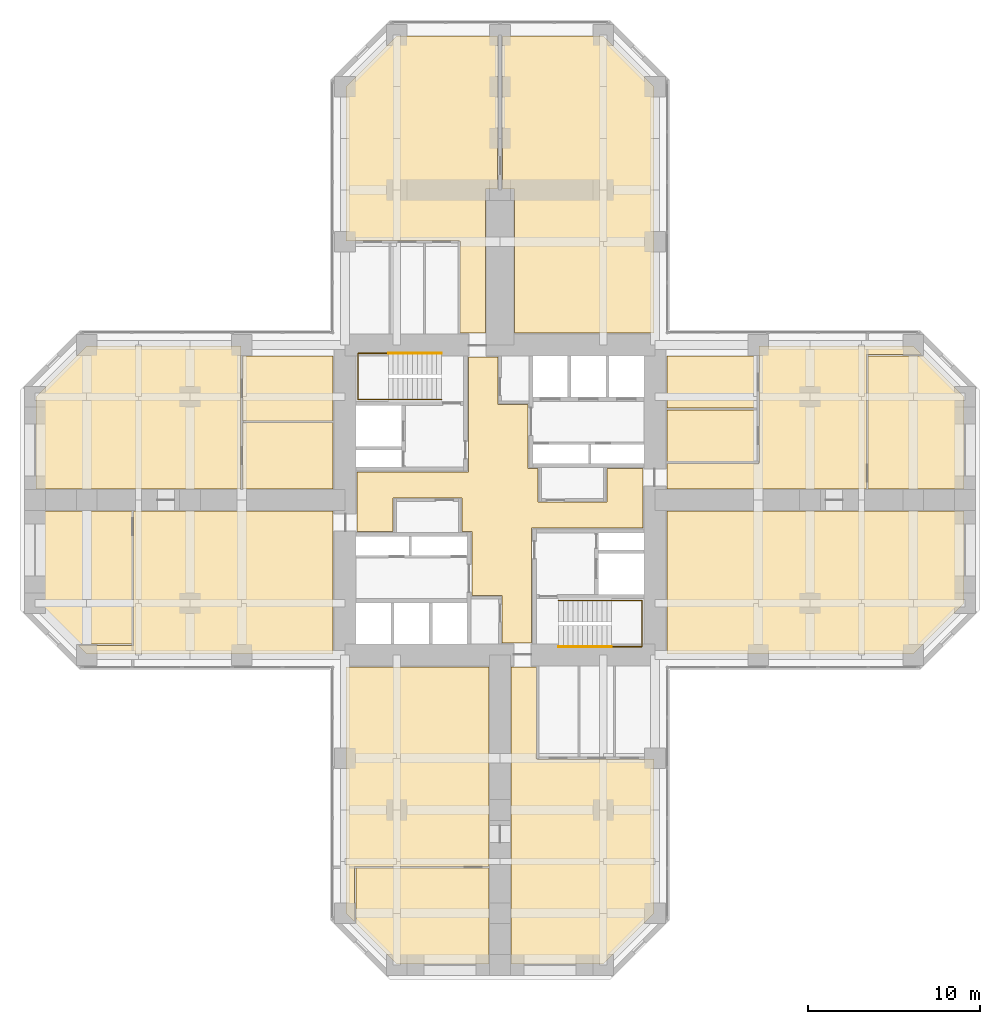
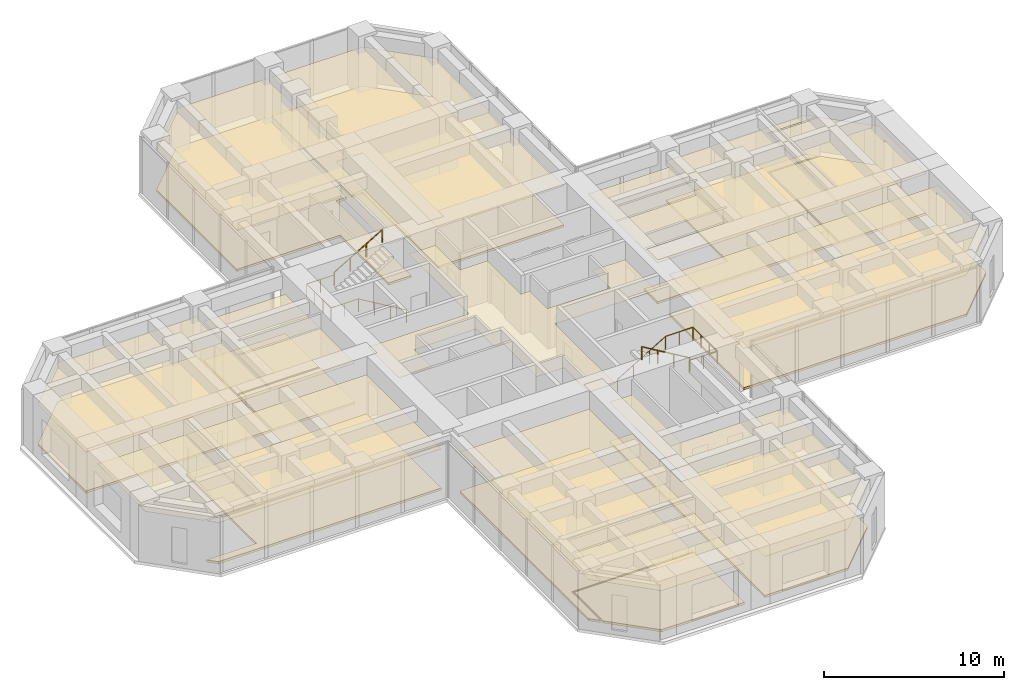
# One storey, part 12 of 12: 28 coverings, 4 railings.
"""IFC4 building model written with IfcOpenShell, lengths in metres."""

from ifc_helpers import new_model, si_unit, direction, frame, origin, origin_2d, place, context, subcontext, project, spatial, polyline, circle, outline, extrude, material, layer, layer_set, constituent, constituent_set, type_object, element, save


model = new_model("IFC4")

# Units and contexts
model_context = context("Model", 3, precision=1e-05, world=origin(), true_north=direction((0.0, 1.0)))
body_context = subcontext(model_context, "Body", "Model", "MODEL_VIEW")
ifc_project = project(units=[si_unit("LENGTHUNIT", "METRE"), si_unit("AREAUNIT", "SQUARE_METRE"), si_unit("VOLUMEUNIT", "CUBIC_METRE"), si_unit("PLANEANGLEUNIT", "RADIAN"), si_unit("MASSUNIT", "GRAM", prefix="KILO")], contexts=[model_context])

# Site, building, storey
site_placement = place(None, origin())
site = spatial("IfcSite", under=ifc_project, at=site_placement, CompositionType="ELEMENT")
building_placement = place(site_placement, origin())
building = spatial("IfcBuilding", under=site, at=building_placement, Name="Torre Cruceta", CompositionType="ELEMENT")
storey_placement = place(building_placement, frame((0.0, 0.0, 67.5)))
storey = spatial("IfcBuildingStorey", under=building, at=storey_placement, Name="L16", CompositionType="ELEMENT", Elevation=67.5)

# Railings
ifc_material_1 = material(Name="Stainless steel 1.4401", Category="steel")
railing_type = type_object("IfcRailingType", Name="HANDRAIL 900", PredefinedType="HANDRAIL", material=ifc_material_1)
railing_1_placement = place(storey_placement, frame((-3.39990234375, 5.8349609375, 0.166748046875)))
element("IfcRailing", 1, at=railing_1_placement, inside=storey, type_object=railing_type, Name="Handrail HR1 ST1 L16", PredefinedType="HANDRAIL", context=body_context, shape_type="SweptSolid", body=[
    extrude(circle(Radius=0.02392578125, at=origin_2d()), frame((0.0, 0.0, 0.8759765625), z_axis=(-0.859308565015, 0.0, 0.511457515432), x_axis=(0.0, -1.0, 0.0)), (0.0, 0.0, 1.0), 3.58447265625),
    extrude(circle(Radius=0.02392578125, at=origin_2d()), frame((-3.080078125, 0.0, 2.708984375), z_axis=(-1.0, 0.0, 0.0), x_axis=(0.0, -1.0, 0.0)), (0.0, 0.0, 1.0), 1.760009765625),
    extrude(circle(Radius=0.02392578125, at=origin_2d()), frame((-4.840087890625, 0.0, 2.708984375), z_axis=(0.0, 1.0, 0.0), x_axis=(-1.0, 0.0, 0.0)), (0.0, 0.0, 1.0), 2.679931640625),
    extrude(circle(Radius=0.02392578125, at=origin_2d()), frame((-4.840087890625, 2.679931640625, 2.708984375), z_axis=(1.0, 0.0, 0.0), x_axis=(0.0, 1.0, 0.0)), (0.0, 0.0, 1.0), 1.760009765625),
    extrude(circle(Radius=0.02099609375, at=origin_2d()), origin(), (0.0, 0.0, 1.0), 0.851806640625),
    extrude(circle(Radius=0.02099609375, at=origin_2d()), frame((-1.026611328125, 0.0, 0.611083984375)), (0.0, 0.0, 1.0), 0.851806640625),
    extrude(circle(Radius=0.02099609375, at=origin_2d()), frame((-2.053466796875, 0.0, 1.22216796875)), (0.0, 0.0, 1.0), 0.851806640625),
    extrude(circle(Radius=0.02099609375, at=origin_2d()), frame((-3.080078125, 0.0, 1.833251953125)), (0.0, 0.0, 1.0), 0.851806640625),
    extrude(circle(Radius=0.02099609375, at=origin_2d()), frame((-3.9599609375, 0.0, 1.833251953125)), (0.0, 0.0, 1.0), 0.851806640625),
    extrude(circle(Radius=0.02099609375, at=origin_2d()), frame((-4.840087890625, 0.0, 1.833251953125)), (0.0, 0.0, 1.0), 0.851806640625),
    extrude(circle(Radius=0.02099609375, at=origin_2d()), frame((-4.840087890625, 0.893310546875, 1.833251953125)), (0.0, 0.0, 1.0), 0.851806640625),
    extrude(circle(Radius=0.02099609375, at=origin_2d()), frame((-4.840087890625, 1.78662109375, 1.833251953125)), (0.0, 0.0, 1.0), 0.851806640625),
    extrude(circle(Radius=0.02099609375, at=origin_2d()), frame((-4.840087890625, 2.679931640625, 1.833251953125)), (0.0, 0.0, 1.0), 0.851806640625),
    extrude(circle(Radius=0.02099609375, at=origin_2d()), frame((-3.9599609375, 2.679931640625, 1.833251953125)), (0.0, 0.0, 1.0), 0.851806640625),
    extrude(circle(Radius=0.02099609375, at=origin_2d()), frame((-3.080078125, 2.679931640625, 1.833251953125)), (0.0, 0.0, 1.0), 0.851806640625),
])
railing_2_placement = place(storey_placement, frame((-6.47998046875, 8.514892578125, 2.166748046875)))
element("IfcRailing", 2, at=railing_2_placement, inside=storey, type_object=railing_type, Name="Handrail HR1 ST1 L16", PredefinedType="HANDRAIL", context=body_context, shape_type="SweptSolid", body=[
    extrude(circle(Radius=0.02392578125, at=origin_2d()), frame((0.0, 0.0, 0.8759765625), z_axis=(0.859308565015, 0.0, 0.511457515432), x_axis=(0.0, 1.0, 0.0)), (0.0, 0.0, 1.0), 3.58447265625),
    extrude(circle(Radius=0.02099609375, at=origin_2d()), origin(), (0.0, 0.0, 1.0), 0.851806640625),
    extrude(circle(Radius=0.02099609375, at=origin_2d()), frame((1.026611328125, 0.0, 0.611083984375)), (0.0, 0.0, 1.0), 0.851806640625),
    extrude(circle(Radius=0.02099609375, at=origin_2d()), frame((2.053466796875, 0.0, 1.22216796875)), (0.0, 0.0, 1.0), 0.851806640625),
    extrude(circle(Radius=0.02099609375, at=origin_2d()), frame((3.080078125, 0.0, 1.833251953125)), (0.0, 0.0, 1.0), 0.851806640625),
])
railing_3_placement = place(storey_placement, frame((3.39990234375, -5.8349609375, 0.166748046875)))
element("IfcRailing", 3, at=railing_3_placement, inside=storey, type_object=railing_type, Name="Handrail HR1 ST2 L16", PredefinedType="HANDRAIL", context=body_context, shape_type="SweptSolid", body=[
    extrude(circle(Radius=0.02392578125, at=origin_2d()), frame((0.0, 0.0, 0.8759765625), z_axis=(0.859308565015, 0.0, 0.511457515432), x_axis=(0.0, 1.0, 0.0)), (0.0, 0.0, 1.0), 3.58447265625),
    extrude(circle(Radius=0.02392578125, at=origin_2d()), frame((3.080078125, 0.0, 2.708984375), z_axis=(1.0, 0.0, 0.0), x_axis=(0.0, 1.0, 0.0)), (0.0, 0.0, 1.0), 1.760009765625),
    extrude(circle(Radius=0.02392578125, at=origin_2d()), frame((4.840087890625, 0.0, 2.708984375), z_axis=(0.0, -1.0, 0.0), x_axis=(1.0, 0.0, 0.0)), (0.0, 0.0, 1.0), 2.679931640625),
    extrude(circle(Radius=0.02392578125, at=origin_2d()), frame((4.840087890625, -2.679931640625, 2.708984375), z_axis=(-1.0, 0.0, 0.0), x_axis=(0.0, -1.0, 0.0)), (0.0, 0.0, 1.0), 1.760009765625),
    extrude(circle(Radius=0.02099609375, at=origin_2d()), origin(), (0.0, 0.0, 1.0), 0.851806640625),
    extrude(circle(Radius=0.02099609375, at=origin_2d()), frame((1.026611328125, 0.0, 0.611083984375)), (0.0, 0.0, 1.0), 0.851806640625),
    extrude(circle(Radius=0.02099609375, at=origin_2d()), frame((2.053466796875, 0.0, 1.22216796875)), (0.0, 0.0, 1.0), 0.851806640625),
    extrude(circle(Radius=0.02099609375, at=origin_2d()), frame((3.080078125, 0.0, 1.833251953125)), (0.0, 0.0, 1.0), 0.851806640625),
    extrude(circle(Radius=0.02099609375, at=origin_2d()), frame((3.9599609375, 0.0, 1.833251953125)), (0.0, 0.0, 1.0), 0.851806640625),
    extrude(circle(Radius=0.02099609375, at=origin_2d()), frame((4.840087890625, 0.0, 1.833251953125)), (0.0, 0.0, 1.0), 0.851806640625),
    extrude(circle(Radius=0.02099609375, at=origin_2d()), frame((4.840087890625, -0.893310546875, 1.833251953125)), (0.0, 0.0, 1.0), 0.851806640625),
    extrude(circle(Radius=0.02099609375, at=origin_2d()), frame((4.840087890625, -1.78662109375, 1.833251953125)), (0.0, 0.0, 1.0), 0.851806640625),
    extrude(circle(Radius=0.02099609375, at=origin_2d()), frame((4.840087890625, -2.679931640625, 1.833251953125)), (0.0, 0.0, 1.0), 0.851806640625),
    extrude(circle(Radius=0.02099609375, at=origin_2d()), frame((3.9599609375, -2.679931640625, 1.833251953125)), (0.0, 0.0, 1.0), 0.851806640625),
    extrude(circle(Radius=0.02099609375, at=origin_2d()), frame((3.080078125, -2.679931640625, 1.833251953125)), (0.0, 0.0, 1.0), 0.851806640625),
])
railing_4_placement = place(storey_placement, frame((6.47998046875, -8.514892578125, 2.166748046875)))
element("IfcRailing", 4, at=railing_4_placement, inside=storey, type_object=railing_type, Name="Handrail HR1 ST2 L16", PredefinedType="HANDRAIL", context=body_context, shape_type="SweptSolid", body=[
    extrude(circle(Radius=0.02392578125, at=origin_2d()), frame((0.0, 0.0, 0.8759765625), z_axis=(-0.859308565015, 0.0, 0.511457515432), x_axis=(0.0, -1.0, 0.0)), (0.0, 0.0, 1.0), 3.58447265625),
    extrude(circle(Radius=0.02099609375, at=origin_2d()), origin(), (0.0, 0.0, 1.0), 0.851806640625),
    extrude(circle(Radius=0.02099609375, at=origin_2d()), frame((-1.026611328125, 0.0, 0.611083984375)), (0.0, 0.0, 1.0), 0.851806640625),
    extrude(circle(Radius=0.02099609375, at=origin_2d()), frame((-2.053466796875, 0.0, 1.22216796875)), (0.0, 0.0, 1.0), 0.851806640625),
    extrude(circle(Radius=0.02099609375, at=origin_2d()), frame((-3.080078125, 0.0, 1.833251953125)), (0.0, 0.0, 1.0), 0.851806640625),
])

# Coverings
ifc_material_2 = material(Name="Steel DX51D", Category="steel")
ifc_constituent_1 = constituent(ifc_material_2, Name="Panel casing")
ifc_material_3 = material(Name="Calcium sulphate", Category="gypsum")
ifc_constituent_2 = constituent(ifc_material_3, Name="Panel core")
ifc_constituent_set = constituent_set(constituents=[ifc_constituent_1, ifc_constituent_2], Name="Raised access floor panel")
covering_type_1 = type_object("IfcCoveringType", Name="RAISED ACCESS FLOOR 150", PredefinedType="FLOORING", material=ifc_constituent_set)
covering_1_placement = place(storey_placement, origin())
element("IfcCovering", 5, at=covering_1_placement, inside=storey, type_object=covering_type_1, Name="Raised floor L16-029", PredefinedType="FLOORING", context=body_context, shape_type="SweptSolid", body=[
    extrude(outline(polyline([(-5.979248046875, 26.949951171875), (-0.14990234375, 26.949951171875), (-0.14990234375, 18.050048828125), (-0.85009765625, 18.050048828125), (-0.85009765625, 9.699951171875), (-2.324951171875, 9.699951171875), (-2.324951171875, 15.050048828125), (-8.949951171875, 15.050048828125), (-8.949951171875, 23.979248046875), (-5.979248046875, 26.949951171875)])), origin(), (0.0, 0.0, 1.0), 0.14990234375),
])
covering_2_placement = place(storey_placement, origin())
element("IfcCovering", 6, at=covering_2_placement, inside=storey, type_object=covering_type_1, Name="Raised floor L16-030", PredefinedType="FLOORING", context=body_context, shape_type="SweptSolid", body=[
    extrude(outline(polyline([(5.979248046875, 26.949951171875), (8.949951171875, 23.979248046875), (8.949951171875, 9.699951171875), (0.85009765625, 9.699951171875), (0.85009765625, 18.050048828125), (0.14990234375, 18.050048828125), (0.14990234375, 26.949951171875), (5.979248046875, 26.949951171875)])), origin(), (0.0, 0.0, 1.0), 0.14990234375),
])
covering_3_placement = place(storey_placement, origin())
element("IfcCovering", 7, at=covering_3_placement, inside=storey, type_object=covering_type_1, Name="Raised floor L16-033", PredefinedType="FLOORING", context=body_context, shape_type="SweptSolid", body=[
    extrude(outline(polyline([(26.949951171875, 0.64990234375), (21.3701171875, 0.64990234375), (21.3701171875, 8.35009765625), (24.579345703125, 8.35009765625), (26.949951171875, 5.979248046875), (26.949951171875, 0.64990234375)])), origin(), (0.0, 0.0, 1.0), 0.14990234375),
])
covering_4_placement = place(storey_placement, origin())
element("IfcCovering", 8, at=covering_4_placement, inside=storey, type_object=covering_type_1, Name="Raised floor L16-034", PredefinedType="FLOORING", context=body_context, shape_type="SweptSolid", body=[
    extrude(outline(polyline([(21.27001953125, 8.449951171875), (21.27001953125, 0.64990234375), (9.699951171875, 0.64990234375), (9.699951171875, 2.125), (15.050048828125, 2.125), (15.050048828125, 8.949951171875), (23.979248046875, 8.949951171875), (24.479248046875, 8.449951171875), (21.27001953125, 8.449951171875)])), origin(), (0.0, 0.0, 1.0), 0.14990234375),
])
covering_5_placement = place(storey_placement, origin())
element("IfcCovering", 9, at=covering_5_placement, inside=storey, type_object=covering_type_1, Name="Raised floor L16-035", PredefinedType="FLOORING", context=body_context, shape_type="SweptSolid", body=[
    extrude(outline(polyline([(26.949951171875, -5.979248046875), (23.979248046875, -8.949951171875), (9.699951171875, -8.949951171875), (9.699951171875, -0.64990234375), (26.949951171875, -0.64990234375), (26.949951171875, -5.979248046875)])), origin(), (0.0, 0.0, 1.0), 0.14990234375),
])
covering_6_placement = place(storey_placement, origin())
element("IfcCovering", 10, at=covering_6_placement, inside=storey, type_object=covering_type_1, Name="Raised floor L16-039", PredefinedType="FLOORING", context=body_context, shape_type="SweptSolid", body=[
    extrude(outline(polyline([(-8.35009765625, -24.579345703125), (-8.35009765625, -21.3701171875), (-0.64990234375, -21.3701171875), (-0.64990234375, -26.949951171875), (-5.979248046875, -26.949951171875), (-8.35009765625, -24.579345703125)])), origin(), (0.0, 0.0, 1.0), 0.14990234375),
])
covering_7_placement = place(storey_placement, origin())
element("IfcCovering", 11, at=covering_7_placement, inside=storey, type_object=covering_type_1, Name="Raised floor L16-040", PredefinedType="FLOORING", context=body_context, shape_type="SweptSolid", body=[
    extrude(outline(polyline([(0.64990234375, -26.949951171875), (0.64990234375, -9.699951171875), (2.125, -9.699951171875), (2.125, -15.050048828125), (8.949951171875, -15.050048828125), (8.949951171875, -23.979248046875), (5.979248046875, -26.949951171875), (0.64990234375, -26.949951171875)])), origin(), (0.0, 0.0, 1.0), 0.14990234375),
])
covering_8_placement = place(storey_placement, origin())
element("IfcCovering", 12, at=covering_8_placement, inside=storey, type_object=covering_type_1, Name="Raised floor L16-041", PredefinedType="FLOORING", context=body_context, shape_type="SweptSolid", body=[
    extrude(outline(polyline([(-8.449951171875, -21.27001953125), (-8.449951171875, -24.479248046875), (-8.949951171875, -23.979248046875), (-8.949951171875, -9.699951171875), (-0.64990234375, -9.699951171875), (-0.64990234375, -21.27001953125), (-8.449951171875, -21.27001953125)])), origin(), (0.0, 0.0, 1.0), 0.14990234375),
])
covering_9_placement = place(storey_placement, origin())
element("IfcCovering", 13, at=covering_9_placement, inside=storey, type_object=covering_type_1, Name="Raised floor L16-042", PredefinedType="FLOORING", context=body_context, shape_type="SweptSolid", body=[
    extrude(outline(polyline([(-9.699951171875, 4.5), (-9.699951171875, 0.64990234375), (-14.949951171875, 0.64990234375), (-14.949951171875, 4.5), (-9.699951171875, 4.5)])), origin(), (0.0, 0.0, 1.0), 0.14990234375),
])
covering_10_placement = place(storey_placement, origin())
element("IfcCovering", 14, at=covering_10_placement, inside=storey, type_object=covering_type_1, Name="Raised floor L16-043", PredefinedType="FLOORING", context=body_context, shape_type="SweptSolid", body=[
    extrude(outline(polyline([(-9.699951171875, 8.35009765625), (-9.699951171875, 4.60009765625), (-14.949951171875, 4.60009765625), (-14.949951171875, 8.35009765625), (-9.699951171875, 8.35009765625)])), origin(), (0.0, 0.0, 1.0), 0.14990234375),
])
covering_11_placement = place(storey_placement, origin())
element("IfcCovering", 15, at=covering_11_placement, inside=storey, type_object=covering_type_1, Name="Raised floor L16-045", PredefinedType="FLOORING", context=body_context, shape_type="SweptSolid", body=[
    extrude(outline(polyline([(-24.479248046875, -8.449951171875), (-21.27001953125, -8.449951171875), (-21.27001953125, -0.64990234375), (-9.699951171875, -0.64990234375), (-9.699951171875, -8.949951171875), (-23.979248046875, -8.949951171875), (-24.479248046875, -8.449951171875)])), origin(), (0.0, 0.0, 1.0), 0.14990234375),
])
covering_12_placement = place(storey_placement, origin())
element("IfcCovering", 16, at=covering_12_placement, inside=storey, type_object=covering_type_1, Name="Raised floor L16-046", PredefinedType="FLOORING", context=body_context, shape_type="SweptSolid", body=[
    extrude(outline(polyline([(-26.949951171875, 5.979248046875), (-23.979248046875, 8.949951171875), (-15.050048828125, 8.949951171875), (-15.050048828125, 0.64990234375), (-26.949951171875, 0.64990234375), (-26.949951171875, 5.979248046875)])), origin(), (0.0, 0.0, 1.0), 0.14990234375),
])
ifc_material_4 = material(Name="Mineral fibre ceiling tile", Category="gypsum")
ifc_layer = layer(ifc_material_4, 0.02001953125)
ifc_layer_set = layer_set([ifc_layer], Name="Mineral fibre ceiling tile")
covering_type_2 = type_object("IfcCoveringType", Name="SUSPENDED CEILING 20", PredefinedType="CEILING", material=ifc_layer_set)
covering_13_placement = place(storey_placement, frame((0.0, 0.0, 2.780029296875)))
element("IfcCovering", 17, at=covering_13_placement, inside=storey, type_object=covering_type_2, Name="Ceiling L16-001", PredefinedType="CEILING", context=body_context, shape_type="SweptSolid", body=[
    extrude(outline(polyline([(1.824951171875, -8.300048828125), (0.125, -8.300048828125), (0.125, -5.550048828125), (-1.625, -5.550048828125), (-1.625, -1.824951171875), (-2.199951171875, -1.824951171875), (-2.199951171875, 0.125), (-6.199951171875, 0.125), (-6.199951171875, -1.824951171875), (-8.300048828125, -1.824951171875), (-8.300048828125, 1.625), (-1.824951171875, 1.625), (-1.824951171875, 8.300048828125), (-0.125, 8.300048828125), (-0.125, 5.550048828125), (1.625, 5.550048828125), (1.625, 1.824951171875), (2.199951171875, 1.824951171875), (2.199951171875, -0.125), (6.199951171875, -0.125), (6.199951171875, 1.824951171875), (8.300048828125, 1.824951171875), (8.300048828125, -1.625), (1.824951171875, -1.625), (1.824951171875, -8.300048828125)])), origin(), (0.0, 0.0, 1.0), 0.02001953125),
])
covering_14_placement = place(storey_placement, frame((0.0, 0.0, 2.780029296875)))
element("IfcCovering", 18, at=covering_14_placement, inside=storey, type_object=covering_type_2, Name="Ceiling L16-029", PredefinedType="CEILING", context=body_context, shape_type="SweptSolid", body=[
    extrude(outline(polyline([(-5.979248046875, 26.949951171875), (-0.14990234375, 26.949951171875), (-0.14990234375, 18.050048828125), (-0.85009765625, 18.050048828125), (-0.85009765625, 9.699951171875), (-2.324951171875, 9.699951171875), (-2.324951171875, 15.050048828125), (-8.949951171875, 15.050048828125), (-8.949951171875, 23.979248046875), (-5.979248046875, 26.949951171875)])), origin(), (0.0, 0.0, 1.0), 0.02001953125),
])
covering_15_placement = place(storey_placement, frame((0.0, 0.0, 2.780029296875)))
element("IfcCovering", 19, at=covering_15_placement, inside=storey, type_object=covering_type_2, Name="Ceiling L16-030", PredefinedType="CEILING", context=body_context, shape_type="SweptSolid", body=[
    extrude(outline(polyline([(5.979248046875, 26.949951171875), (8.949951171875, 23.979248046875), (8.949951171875, 9.699951171875), (0.85009765625, 9.699951171875), (0.85009765625, 18.050048828125), (0.14990234375, 18.050048828125), (0.14990234375, 26.949951171875), (5.979248046875, 26.949951171875)])), origin(), (0.0, 0.0, 1.0), 0.02001953125),
])
covering_16_placement = place(storey_placement, frame((0.0, 0.0, 2.780029296875)))
element("IfcCovering", 20, at=covering_16_placement, inside=storey, type_object=covering_type_2, Name="Ceiling L16-031", PredefinedType="CEILING", context=body_context, shape_type="SweptSolid", body=[
    extrude(outline(polyline([(9.699951171875, 2.22509765625), (9.699951171875, 5.237548828125), (14.949951171875, 5.237548828125), (14.949951171875, 2.22509765625), (9.699951171875, 2.22509765625)])), origin(), (0.0, 0.0, 1.0), 0.02001953125),
])
covering_17_placement = place(storey_placement, frame((0.0, 0.0, 2.780029296875)))
element("IfcCovering", 21, at=covering_17_placement, inside=storey, type_object=covering_type_2, Name="Ceiling L16-032", PredefinedType="CEILING", context=body_context, shape_type="SweptSolid", body=[
    extrude(outline(polyline([(9.699951171875, 5.33740234375), (9.699951171875, 8.35009765625), (14.949951171875, 8.35009765625), (14.949951171875, 5.33740234375), (9.699951171875, 5.33740234375)])), origin(), (0.0, 0.0, 1.0), 0.02001953125),
])
covering_18_placement = place(storey_placement, frame((0.0, 0.0, 2.780029296875)))
element("IfcCovering", 22, at=covering_18_placement, inside=storey, type_object=covering_type_2, Name="Ceiling L16-033", PredefinedType="CEILING", context=body_context, shape_type="SweptSolid", body=[
    extrude(outline(polyline([(26.949951171875, 0.64990234375), (21.3701171875, 0.64990234375), (21.3701171875, 8.35009765625), (24.579345703125, 8.35009765625), (26.949951171875, 5.979248046875), (26.949951171875, 0.64990234375)])), origin(), (0.0, 0.0, 1.0), 0.02001953125),
])
covering_19_placement = place(storey_placement, frame((0.0, 0.0, 2.780029296875)))
element("IfcCovering", 23, at=covering_19_placement, inside=storey, type_object=covering_type_2, Name="Ceiling L16-034", PredefinedType="CEILING", context=body_context, shape_type="SweptSolid", body=[
    extrude(outline(polyline([(21.27001953125, 8.449951171875), (21.27001953125, 0.64990234375), (9.699951171875, 0.64990234375), (9.699951171875, 2.125), (15.050048828125, 2.125), (15.050048828125, 8.949951171875), (23.979248046875, 8.949951171875), (24.479248046875, 8.449951171875), (21.27001953125, 8.449951171875)])), origin(), (0.0, 0.0, 1.0), 0.02001953125),
])
covering_20_placement = place(storey_placement, frame((0.0, 0.0, 2.780029296875)))
element("IfcCovering", 24, at=covering_20_placement, inside=storey, type_object=covering_type_2, Name="Ceiling L16-035", PredefinedType="CEILING", context=body_context, shape_type="SweptSolid", body=[
    extrude(outline(polyline([(26.949951171875, -5.979248046875), (23.979248046875, -8.949951171875), (9.699951171875, -8.949951171875), (9.699951171875, -0.64990234375), (26.949951171875, -0.64990234375), (26.949951171875, -5.979248046875)])), origin(), (0.0, 0.0, 1.0), 0.02001953125),
])
covering_21_placement = place(storey_placement, frame((0.0, 0.0, 2.780029296875)))
element("IfcCovering", 25, at=covering_21_placement, inside=storey, type_object=covering_type_2, Name="Ceiling L16-039", PredefinedType="CEILING", context=body_context, shape_type="SweptSolid", body=[
    extrude(outline(polyline([(-8.35009765625, -24.579345703125), (-8.35009765625, -21.3701171875), (-0.64990234375, -21.3701171875), (-0.64990234375, -26.949951171875), (-5.979248046875, -26.949951171875), (-8.35009765625, -24.579345703125)])), origin(), (0.0, 0.0, 1.0), 0.02001953125),
])
covering_22_placement = place(storey_placement, frame((0.0, 0.0, 2.780029296875)))
element("IfcCovering", 26, at=covering_22_placement, inside=storey, type_object=covering_type_2, Name="Ceiling L16-040", PredefinedType="CEILING", context=body_context, shape_type="SweptSolid", body=[
    extrude(outline(polyline([(0.64990234375, -26.949951171875), (0.64990234375, -9.699951171875), (2.125, -9.699951171875), (2.125, -15.050048828125), (8.949951171875, -15.050048828125), (8.949951171875, -23.979248046875), (5.979248046875, -26.949951171875), (0.64990234375, -26.949951171875)])), origin(), (0.0, 0.0, 1.0), 0.02001953125),
])
covering_23_placement = place(storey_placement, frame((0.0, 0.0, 2.780029296875)))
element("IfcCovering", 27, at=covering_23_placement, inside=storey, type_object=covering_type_2, Name="Ceiling L16-041", PredefinedType="CEILING", context=body_context, shape_type="SweptSolid", body=[
    extrude(outline(polyline([(-8.449951171875, -21.27001953125), (-8.449951171875, -24.479248046875), (-8.949951171875, -23.979248046875), (-8.949951171875, -9.699951171875), (-0.64990234375, -9.699951171875), (-0.64990234375, -21.27001953125), (-8.449951171875, -21.27001953125)])), origin(), (0.0, 0.0, 1.0), 0.02001953125),
])
covering_24_placement = place(storey_placement, frame((0.0, 0.0, 2.780029296875)))
element("IfcCovering", 28, at=covering_24_placement, inside=storey, type_object=covering_type_2, Name="Ceiling L16-042", PredefinedType="CEILING", context=body_context, shape_type="SweptSolid", body=[
    extrude(outline(polyline([(-9.699951171875, 4.5), (-9.699951171875, 0.64990234375), (-14.949951171875, 0.64990234375), (-14.949951171875, 4.5), (-9.699951171875, 4.5)])), origin(), (0.0, 0.0, 1.0), 0.02001953125),
])
covering_25_placement = place(storey_placement, frame((0.0, 0.0, 2.780029296875)))
element("IfcCovering", 29, at=covering_25_placement, inside=storey, type_object=covering_type_2, Name="Ceiling L16-043", PredefinedType="CEILING", context=body_context, shape_type="SweptSolid", body=[
    extrude(outline(polyline([(-9.699951171875, 8.35009765625), (-9.699951171875, 4.60009765625), (-14.949951171875, 4.60009765625), (-14.949951171875, 8.35009765625), (-9.699951171875, 8.35009765625)])), origin(), (0.0, 0.0, 1.0), 0.02001953125),
])
covering_26_placement = place(storey_placement, frame((0.0, 0.0, 2.780029296875)))
element("IfcCovering", 30, at=covering_26_placement, inside=storey, type_object=covering_type_2, Name="Ceiling L16-044", PredefinedType="CEILING", context=body_context, shape_type="SweptSolid", body=[
    extrude(outline(polyline([(-26.949951171875, -0.64990234375), (-21.3701171875, -0.64990234375), (-21.3701171875, -8.35009765625), (-24.579345703125, -8.35009765625), (-26.949951171875, -5.979248046875), (-26.949951171875, -0.64990234375)])), origin(), (0.0, 0.0, 1.0), 0.02001953125),
])
covering_27_placement = place(storey_placement, frame((0.0, 0.0, 2.780029296875)))
element("IfcCovering", 31, at=covering_27_placement, inside=storey, type_object=covering_type_2, Name="Ceiling L16-045", PredefinedType="CEILING", context=body_context, shape_type="SweptSolid", body=[
    extrude(outline(polyline([(-24.479248046875, -8.449951171875), (-21.27001953125, -8.449951171875), (-21.27001953125, -0.64990234375), (-9.699951171875, -0.64990234375), (-9.699951171875, -8.949951171875), (-23.979248046875, -8.949951171875), (-24.479248046875, -8.449951171875)])), origin(), (0.0, 0.0, 1.0), 0.02001953125),
])
covering_28_placement = place(storey_placement, frame((0.0, 0.0, 2.780029296875)))
element("IfcCovering", 32, at=covering_28_placement, inside=storey, type_object=covering_type_2, Name="Ceiling L16-046", PredefinedType="CEILING", context=body_context, shape_type="SweptSolid", body=[
    extrude(outline(polyline([(-26.949951171875, 5.979248046875), (-23.979248046875, 8.949951171875), (-15.050048828125, 8.949951171875), (-15.050048828125, 0.64990234375), (-26.949951171875, 0.64990234375), (-26.949951171875, 5.979248046875)])), origin(), (0.0, 0.0, 1.0), 0.02001953125),
])

save(model, "model.ifc")
